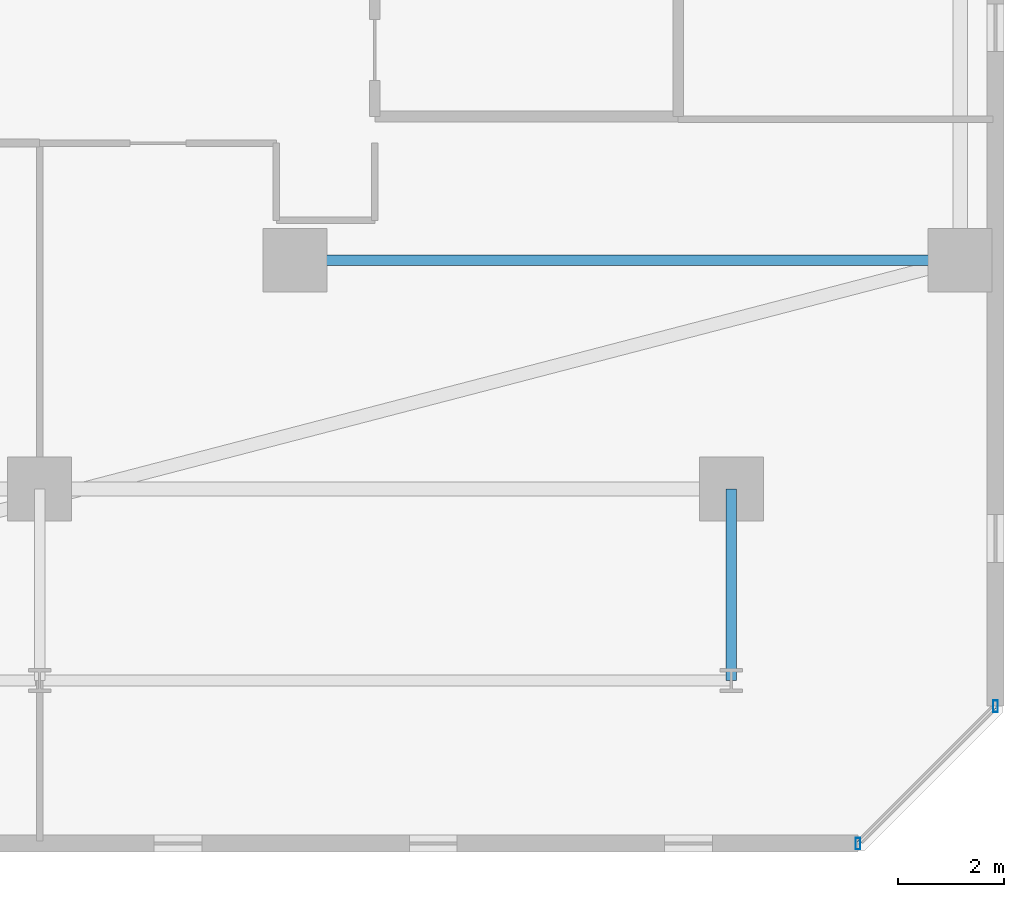
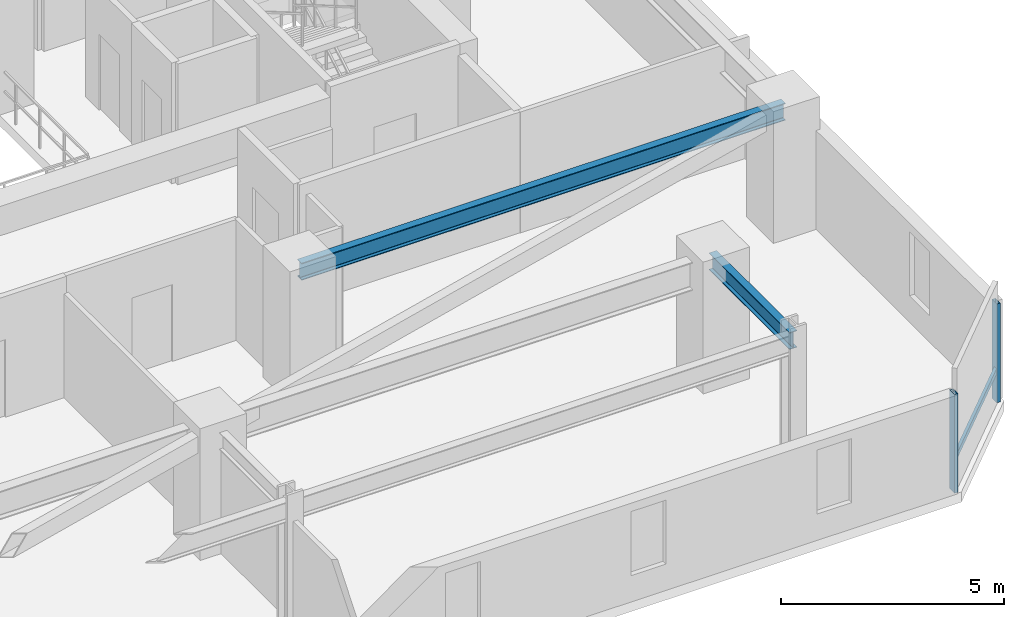
# One storey, part 14 of 33: 3 members, 2 beams, 1 element without a shape of its own.
"""IFC4 building model written with IfcOpenShell, lengths in metres."""

from ifc_helpers import new_model, si_unit, direction, frame, origin, origin_2d, place, context, subcontext, project, spatial, hollow_rectangle, i_section, extrude, material, material_profile, profile_set, type_object, element, aggregate, save


model = new_model("IFC4")

# Units and contexts
model_context = context("Model", 3, precision=1e-05, world=origin(), true_north=direction((0.0, 1.0)))
body_context = subcontext(model_context, "Body", "Model", "MODEL_VIEW")
ifc_project = project(units=[si_unit("LENGTHUNIT", "METRE"), si_unit("AREAUNIT", "SQUARE_METRE"), si_unit("VOLUMEUNIT", "CUBIC_METRE"), si_unit("PLANEANGLEUNIT", "RADIAN"), si_unit("MASSUNIT", "GRAM", prefix="KILO")], contexts=[model_context])

# Site, building, storey
site_placement = place(None, origin())
site = spatial("IfcSite", under=ifc_project, at=site_placement, CompositionType="ELEMENT")
building_placement = place(site_placement, origin())
building = spatial("IfcBuilding", under=site, at=building_placement, Name="Thornwick Lancets Civic Towers", CompositionType="ELEMENT")
storey_placement = place(building_placement, frame((0.0, 0.0, 98.10009765625)))
storey = spatial("IfcBuildingStorey", under=building, at=storey_placement, Name="L25", CompositionType="ELEMENT", Elevation=98.10009765625)

# Beams
ifc_material_1 = material(Name="Steel S355JR", Category="steel")
ifc_material_profile_1 = material_profile(ifc_material_1, i_section(OverallWidth=0.19287109375, OverallDepth=0.46728515625, WebThickness=0.011474609375, FlangeThickness=0.01953125, FilletRadius=0.01025390625, at=origin_2d()), Name="UKB 457x191x98")
ifc_profile_set_1 = profile_set([ifc_material_profile_1], Name="Steel S355JR")
beam_type = type_object("IfcBeamType", Name="BM_JOIST_457_98", PredefinedType="JOIST", material=ifc_profile_set_1)
beam_1_placement = place(storey_placement, frame((93.300048828125, 14.0, 3.086181640625), z_axis=(1.0, 0.0, 0.0), x_axis=(0.0, 1.0, 0.0)))
element("IfcBeam", 1, at=beam_1_placement, inside=storey, type_object=beam_type, Name="BM-RADIN-L25-B01", PredefinedType="JOIST", context=body_context, shape_type="SweptSolid", body=[
    extrude(i_section(OverallWidth=0.19287109375, OverallDepth=0.46728515625, WebThickness=0.011474609375, FlangeThickness=0.01953125, FilletRadius=0.01025390625, at=origin_2d()), origin(), (0.0, 0.0, 1.0), 12.5),
])
beam_2_placement = place(storey_placement, frame((101.5, 9.699951171875, 3.086181640625), z_axis=(0.0, -1.0, 0.0), x_axis=(1.0, 0.0, 0.0)))
element("IfcBeam", 2, at=beam_2_placement, inside=storey, type_object=beam_type, Name="BM-RAD-L25-B10", PredefinedType="JOIST", context=body_context, shape_type="SweptSolid", body=[
    extrude(i_section(OverallWidth=0.19287109375, OverallDepth=0.46728515625, WebThickness=0.011474609375, FlangeThickness=0.01953125, FilletRadius=0.01025390625, at=origin_2d()), origin(), (0.0, 0.0, 1.0), 3.599853515625),
])

# Curtain wall, members
ifc_material_2 = material(Name="Low-zone chamfered-corner unitised glass curtain wall", Category="glass")
curtain_wall_type = type_object("IfcCurtainWallType", Name="CW_SYS_03", PredefinedType="NOTDEFINED", material=ifc_material_2)
curtain_wall_placement = place(storey_placement, origin())
curtain_wall = element("IfcCurtainWall", 3, at=curtain_wall_placement, inside=storey, type_object=curtain_wall_type, Name="L25 Curtain Wall CW-L25-B-E1", PredefinedType="NOTDEFINED")
ifc_material_3 = material(Name="Thermally broken bronze aluminium S355", Category="steel")
ifc_material_profile_2 = material_profile(ifc_material_3, hollow_rectangle(XDim=0.090087890625, YDim=0.219970703125, WallThickness=0.00634765625, at=origin_2d()), Name="RHS 220x90x6.3")
ifc_profile_set_2 = profile_set([ifc_material_profile_2], Name="Thermally broken bronze aluminium S355")
member_type_1 = type_object("IfcMemberType", Name="CW_MUL_220", PredefinedType="MULLION", material=ifc_profile_set_2)
member_1_placement = place(storey_placement, frame((103.88134765625, 3.035400390625, 0.0), z_axis=(0.0, 0.0, 1.0), x_axis=(1.0, 0.0, 0.0)))
member_1 = element("IfcMember", 4, at=member_1_placement, type_object=member_type_1, Name="CW-L25-B-E1 Mullion 0", PredefinedType="MULLION", context=body_context, shape_type="SweptSolid", body=[
    extrude(hollow_rectangle(XDim=0.090087890625, YDim=0.219970703125, WallThickness=0.00634765625, at=origin_2d()), origin(), (0.0, 0.0, 1.0), 2.699951171875),
])
member_2_placement = place(storey_placement, frame((106.464599609375, 5.61865234375, 0.0), z_axis=(0.0, 0.0, 1.0), x_axis=(1.0, 0.0, 0.0)))
member_2 = element("IfcMember", 5, at=member_2_placement, type_object=member_type_1, Name="CW-L25-B-E1 Mullion 1", PredefinedType="MULLION", context=body_context, shape_type="SweptSolid", body=[
    extrude(hollow_rectangle(XDim=0.090087890625, YDim=0.219970703125, WallThickness=0.00634765625, at=origin_2d()), origin(), (0.0, 0.0, 1.0), 2.699951171875),
])
ifc_material_profile_3 = material_profile(ifc_material_3, hollow_rectangle(XDim=0.074951171875, YDim=0.14990234375, WallThickness=0.0048828125, at=origin_2d()), Name="RHS 150x75x5")
ifc_profile_set_3 = profile_set([ifc_material_profile_3], Name="Thermally broken bronze aluminium S355")
member_type_2 = type_object("IfcMemberType", Name="CW_TRN_150", PredefinedType="USERDEFINED", material=ifc_profile_set_3)
member_3_placement = place(storey_placement, frame((103.8955078125, 3.04931640625, 0.849853515625), z_axis=(0.707106781187, 0.707106781187, 0.0), x_axis=(-0.707106781187, 0.707106781187, 0.0)))
member_3 = element("IfcMember", 6, at=member_3_placement, type_object=member_type_2, Name="CW-L25-B-E1 Transom 0", ObjectType="TRANSOM", PredefinedType="USERDEFINED", context=body_context, shape_type="SweptSolid", body=[
    extrude(hollow_rectangle(XDim=0.074951171875, YDim=0.14990234375, WallThickness=0.0048828125, at=origin_2d()), origin(), (0.0, 0.0, 1.0), 3.613525390625),
])
aggregate(curtain_wall, [member_1, member_2, member_3])

save(model, "model.ifc")
